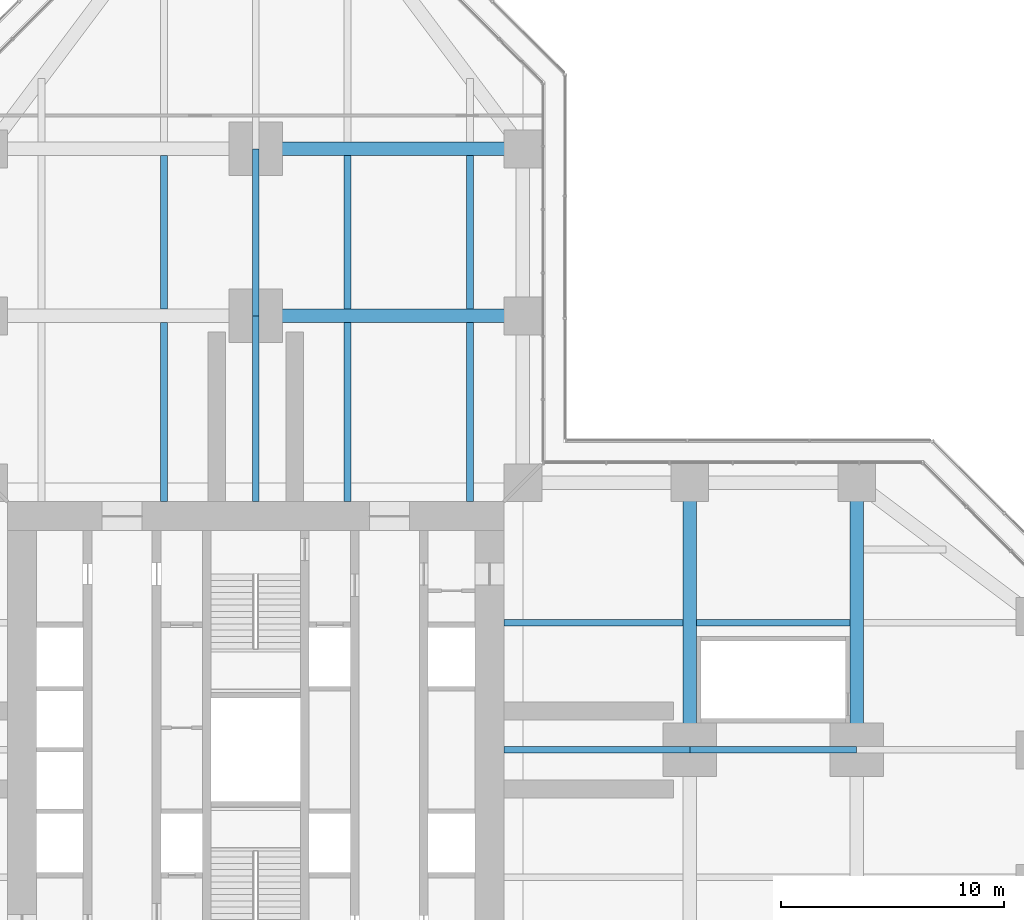
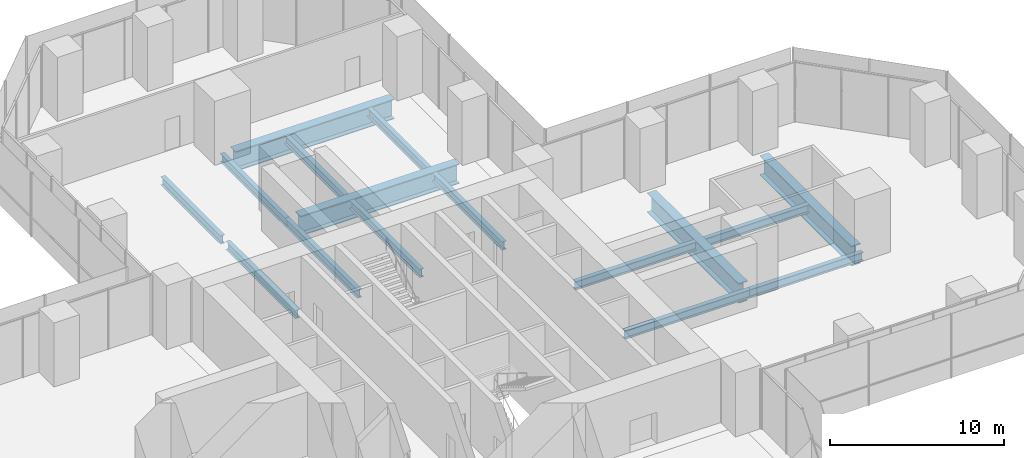
# One storey, part 9 of 21: 16 beams.
"""IFC4 building model written with IfcOpenShell, lengths in metres."""

import ifcopenshell
import ifcopenshell.guid

model = None  # the IFC model being written
_history = None  # IfcOwnerHistory: only IFC2X3 demands one
_inside = {}  # id of a spatial element -> (the spatial element, [elements in it])
_under = {}  # id of a project, library or spatial element -> (it, [spatial elements below it])
_declared = {}  # id of a project -> (the project, [libraries it declares])
_typed = {}  # id of a type object -> (the type object, [elements of that type])
_made_of = {}  # id of a material, layer set ... -> (it, [elements and type objects made of it])


def new_model(schema):
    """Start an empty IFC model of exactly this schema.

    Asked for "IFC4X3", IfcOpenShell would pick the latest addendum, in which some entities
    have other attributes; the version numbers below select the first issue.
    IFC2X3 requires an IfcOwnerHistory on every rooted entity: one is made here for all.
    """
    global model, _history
    if schema == "IFC4X3":
        model = ifcopenshell.file(schema_version=(4, 3, 0, 0))
    else:
        model = ifcopenshell.file(schema=schema)
    _inside.clear()
    _under.clear()
    _declared.clear()
    _typed.clear()
    _made_of.clear()
    _history = None
    if model.schema == "IFC2X3":
        org = make("IfcOrganization", Name="unknown")
        user = make(
            "IfcPersonAndOrganization",
            ThePerson=make("IfcPerson", FamilyName="unknown"),
            TheOrganization=org,
        )
        app = make(
            "IfcApplication",
            ApplicationDeveloper=org,
            Version="unknown",
            ApplicationFullName="unknown",
            ApplicationIdentifier="unknown",
        )
        _history = make(
            "IfcOwnerHistory",
            OwningUser=user,
            OwningApplication=app,
            ChangeAction="ADDED",
            CreationDate=0,
        )
    return model


def make(cls, **values):
    """One entity of the class cls with the attributes given. An attribute that is None is left unset."""
    return model.create_entity(
        cls, **{name: value for name, value in values.items() if value is not None}
    )


def rooted(cls, **values):
    """An entity with a GlobalId (a new one), such as an element, a storey or a relation."""
    return make(cls, GlobalId=ifcopenshell.guid.new(), OwnerHistory=_history, **values)


def si_unit(unit_type, name, prefix=None):
    """IfcSIUnit, for example si_unit("LENGTHUNIT", "METRE", prefix="MILLI")."""
    return make("IfcSIUnit", UnitType=unit_type, Prefix=prefix, Name=name)


def assignment(units):
    """IfcUnitAssignment: the units of a project."""
    return None if units is None else make("IfcUnitAssignment", Units=units)


def point(xyz):
    """IfcCartesianPoint."""
    return None if xyz is None else make("IfcCartesianPoint", Coordinates=xyz)


def direction(xyz):
    """IfcDirection."""
    return None if xyz is None else make("IfcDirection", DirectionRatios=xyz)


def frame(location, z_axis=None, x_axis=None):
    """IfcAxis2Placement3D, a coordinate frame: its origin and axes. An axis left out is left unset."""
    return make(
        "IfcAxis2Placement3D",
        Location=point(location),
        Axis=direction(z_axis),
        RefDirection=direction(x_axis),
    )


def frame_2d(location, x_axis=None):
    """IfcAxis2Placement2D, a coordinate frame in the plane: its origin and x axis."""
    return make(
        "IfcAxis2Placement2D", Location=point(location), RefDirection=direction(x_axis)
    )


def origin():
    """The frame at (0, 0, 0) with its axes left unset."""
    return frame((0.0, 0.0, 0.0))


def origin_2d():
    """The frame at (0, 0) in the plane with its x axis left unset."""
    return frame_2d((0.0, 0.0))


def place(relative_to, where):
    """IfcLocalPlacement: puts the frame where relative to a parent placement (None: the world)."""
    return make(
        "IfcLocalPlacement", PlacementRelTo=relative_to, RelativePlacement=where
    )


def context(
    kind, dimensions, precision=None, world=None, true_north=None, identifier=None
):
    """IfcGeometricRepresentationContext, for example the 3D "Model" context."""
    return make(
        "IfcGeometricRepresentationContext",
        ContextIdentifier=identifier,
        ContextType=kind,
        CoordinateSpaceDimension=dimensions,
        Precision=precision,
        WorldCoordinateSystem=world,
        TrueNorth=true_north,
    )


def subcontext(parent, identifier, kind, view, scale=None):
    """IfcGeometricRepresentationSubContext, for example "Body" below "Model"."""
    return make(
        "IfcGeometricRepresentationSubContext",
        ContextIdentifier=identifier,
        ContextType=kind,
        ParentContext=parent,
        TargetScale=scale,
        TargetView=view,
    )


def project(units=None, contexts=None):
    """IfcProject with its units and contexts."""
    return rooted(
        "IfcProject",
        Name="project",
        RepresentationContexts=contexts,
        UnitsInContext=assignment(units),
    )


def spatial(cls, under=None, at=None, **own):
    """A site, building, storey or space (cls), placed at a placement, below another one or the project."""
    s = rooted(cls, ObjectPlacement=at, **own)
    if under is not None:
        _under.setdefault(under.id(), (under, []))[1].append(s)
    return s


def profile(cls, at=None, kind="AREA", **sizes):
    """A parametric profile (cls). Its sizes go by their IFC names, for example OverallWidth=200.0."""
    return make(cls, ProfileType=kind, Position=at, **sizes)


def i_section(**sizes):
    """IfcIShapeProfileDef."""
    return profile("IfcIShapeProfileDef", **sizes)


def extrude(swept, where, along, depth):
    """IfcExtrudedAreaSolid: the profile swept, set in the frame where, extruded along a direction by depth."""
    return make(
        "IfcExtrudedAreaSolid",
        SweptArea=swept,
        Position=where,
        ExtrudedDirection=direction(along),
        Depth=depth,
    )


def shape(context_of_items, identifier, shape_type, items):
    """IfcShapeRepresentation: the items that make up one representation, for example the "Body"."""
    return make(
        "IfcShapeRepresentation",
        ContextOfItems=context_of_items,
        RepresentationIdentifier=identifier,
        RepresentationType=shape_type,
        Items=items,
    )


def material(Name=None, Category=None):
    """IfcMaterial."""
    return make("IfcMaterial", Name=Name, Category=Category)


def material_profile(
    of_material, cross_section, Name=None, Category=None, Priority=None
):
    """IfcMaterialProfile: a cross section and its material."""
    return make(
        "IfcMaterialProfile",
        Name=Name,
        Material=of_material,
        Profile=cross_section,
        Priority=Priority,
        Category=Category,
    )


def profile_set(profiles, Name=None, composite=None):
    """IfcMaterialProfileSet."""
    return make(
        "IfcMaterialProfileSet",
        Name=Name,
        MaterialProfiles=profiles,
        CompositeProfile=composite,
    )


def made_of(thing, what):
    """Note that an element or type object is made of a material, layer set ...; save() writes the relation."""
    if what is not None:
        _made_of.setdefault(what.id(), (what, []))[1].append(thing)
    return thing


def type_object(cls, material=None, **own):
    """A type object (cls), such as IfcWallType, which elements share."""
    return made_of(rooted(cls, **own), material)


def element(
    cls,
    number,
    at=None,
    inside=None,
    cuts=None,
    type_object=None,
    material=None,
    context=None,
    identifier="Body",
    shape_type=None,
    held_by="IfcProductDefinitionShape",
    body=None,
    shapes=None,
    **own,
):
    """One element of the class cls, such as IfcWall. Its Tag is "e" and its number.

    at: its placement. inside: the storey or other place that contains it. cuts: it is an
    opening in that element (IfcRelVoidsElement). A single representation is given by context,
    identifier, shape_type and body (its items); several are given by shapes. held_by: the class
    of the entity that holds the representations. save() writes the other relations.
    """
    e = rooted(cls, Tag="e%d" % number, ObjectPlacement=at, **own)
    if body is not None:
        shapes = [shape(context, identifier, shape_type, body)]
    if shapes is not None:
        e.Representation = make(held_by, Representations=shapes)
    if inside is not None:
        _inside.setdefault(inside.id(), (inside, []))[1].append(e)
    if cuts is not None:
        rooted(
            "IfcRelVoidsElement", RelatingBuildingElement=cuts, RelatedOpeningElement=e
        )
    if type_object is not None:
        _typed.setdefault(type_object.id(), (type_object, []))[1].append(e)
    return made_of(e, material)


def aggregate(whole, parts):
    """IfcRelAggregates: a whole, such as a stair, and the parts it consists of."""
    return rooted("IfcRelAggregates", RelatingObject=whole, RelatedObjects=parts)


def save(model, path):
    """Write the relations noted so far, then the file.

    IfcRelAggregates (storeys below a building ...), IfcRelContainedInSpatialStructure (elements
    in a storey), IfcRelDefinesByType, IfcRelAssociatesMaterial and IfcRelDeclares: one each for
    every whole, place, type object, material and project.
    """
    for whole, parts in _under.values():
        aggregate(whole, parts)
    for where, things in _inside.values():
        rooted(
            "IfcRelContainedInSpatialStructure",
            RelatedElements=things,
            RelatingStructure=where,
        )
    for kind, things in _typed.values():
        rooted("IfcRelDefinesByType", RelatedObjects=things, RelatingType=kind)
    for what, things in _made_of.values():
        rooted("IfcRelAssociatesMaterial", RelatedObjects=things, RelatingMaterial=what)
    for by, libraries in _declared.values():
        rooted("IfcRelDeclares", RelatingContext=by, RelatedDefinitions=libraries)
    model.write(path)


model = new_model("IFC4")

# Units and contexts
model_context = context("Model", 3, precision=1e-05, world=origin(), true_north=direction((0.0, 1.0)))
body_context = subcontext(model_context, "Body", "Model", "MODEL_VIEW")
ifc_project = project(units=[si_unit("LENGTHUNIT", "METRE"), si_unit("AREAUNIT", "SQUARE_METRE"), si_unit("VOLUMEUNIT", "CUBIC_METRE"), si_unit("PLANEANGLEUNIT", "RADIAN"), si_unit("MASSUNIT", "GRAM", prefix="KILO")], contexts=[model_context])

# Site, building, storey
site_placement = place(None, origin())
site = spatial("IfcSite", under=ifc_project, at=site_placement, CompositionType="ELEMENT")
building_placement = place(site_placement, origin())
building = spatial("IfcBuilding", under=site, at=building_placement, Name="Mizan Broadcast Tower", CompositionType="ELEMENT")
storey_placement = place(building_placement, frame((0.0, 0.0, 33.0)))
storey = spatial("IfcBuildingStorey", under=building, at=storey_placement, Name="L05", CompositionType="ELEMENT", Elevation=33.0)

# Beams
ifc_material_1 = material(Name="Steel S460", Category="steel")
ifc_material_profile_1 = material_profile(ifc_material_1, i_section(OverallWidth=0.60009765625, OverallDepth=1.39990234375, WebThickness=0.02490234375, FlangeThickness=0.06005859375, at=origin_2d()), Name="WPG 1400x600")
ifc_profile_set_1 = profile_set([ifc_material_profile_1], Name="Steel S460")
beam_type_1 = type_object("IfcBeamType", Name="GIRDER WPG 1400x600", PredefinedType="BEAM", material=ifc_profile_set_1)
for number, where, z_axis, x_axis, name in (
    (1, (19.5, 0.719970703125, -0.949951171875), (0.0, 1.0, 0.0), (-1.0, 0.0, 0.0), "Girder WPG 1400x600 L05 east arm"),
    (2, (27.0, 0.719970703125, -0.949951171875), (0.0, 1.0, 0.0), (-1.0, 0.0, 0.0), "Girder WPG 1400x600 L05 east arm"),
    (3, (11.280029296875, 19.5, -0.949951171875), (-1.0, 0.0, 0.0), (0.0, -1.0, 0.0), "Girder WPG 1400x600 L05 north arm"),
    (4, (11.280029296875, 27.0, -0.949951171875), (-1.0, 0.0, 0.0), (0.0, -1.0, 0.0), "Girder WPG 1400x600 L05 north arm"),
):
    element("IfcBeam", number, at=place(storey_placement, frame(where, z_axis=z_axis, x_axis=x_axis)), inside=storey, type_object=beam_type_1, Name=name, PredefinedType="BEAM", context=body_context, shape_type="SweptSolid", body=[
        extrude(i_section(OverallWidth=0.60009765625, OverallDepth=1.39990234375, WebThickness=0.02490234375, FlangeThickness=0.06005859375, at=origin_2d()), origin(), (0.0, 0.0, 1.0), 10.56005859375),
    ])
ifc_material_2 = material(Name="Steel S355", Category="steel")
ifc_material_profile_2 = material_profile(ifc_material_2, i_section(OverallWidth=0.300048828125, OverallDepth=0.590087890625, WebThickness=0.012939453125, FlangeThickness=0.02490234375, FilletRadius=0.027099609375, at=origin_2d()), Name="HEA 600")
ifc_profile_set_2 = profile_set([ifc_material_profile_2], Name="Steel S355")
beam_type_2 = type_object("IfcBeamType", Name="SECONDARY BEAM HEA 600", PredefinedType="JOIST", material=ifc_profile_set_2)
beam_1_placement = place(storey_placement, frame((11.14990234375, 0.0, -0.544921875), z_axis=(1.0, 0.0, 0.0), x_axis=(0.0, 1.0, 0.0)))
element("IfcBeam", 5, at=beam_1_placement, inside=storey, type_object=beam_type_2, Name="Secondary beam HEA 600 L05 east arm", PredefinedType="JOIST", context=body_context, shape_type="SweptSolid", body=[
    extrude(i_section(OverallWidth=0.300048828125, OverallDepth=0.590087890625, WebThickness=0.012939453125, FlangeThickness=0.02490234375, FilletRadius=0.027099609375, at=origin_2d()), origin(), (0.0, 0.0, 1.0), 8.35009765625),
])
beam_2_placement = place(storey_placement, frame((19.5, 0.0, -0.544921875), z_axis=(1.0, 0.0, 0.0), x_axis=(0.0, 1.0, 0.0)))
element("IfcBeam", 6, at=beam_2_placement, inside=storey, type_object=beam_type_2, Name="Secondary beam HEA 600 L05 east arm", PredefinedType="JOIST", context=body_context, shape_type="SweptSolid", body=[
    extrude(i_section(OverallWidth=0.300048828125, OverallDepth=0.590087890625, WebThickness=0.012939453125, FlangeThickness=0.02490234375, FilletRadius=0.027099609375, at=origin_2d()), origin(), (0.0, 0.0, 1.0), 7.5),
])
beam_3_placement = place(storey_placement, frame((11.14990234375, 5.71435546875, -0.544921875), z_axis=(1.0, 0.0, 0.0), x_axis=(0.0, 1.0, 0.0)))
element("IfcBeam", 7, at=beam_3_placement, inside=storey, type_object=beam_type_2, Name="Secondary beam HEA 600 L05 east arm", PredefinedType="JOIST", context=body_context, shape_type="SweptSolid", body=[
    extrude(i_section(OverallWidth=0.300048828125, OverallDepth=0.590087890625, WebThickness=0.012939453125, FlangeThickness=0.02490234375, FilletRadius=0.027099609375, at=origin_2d()), origin(), (0.0, 0.0, 1.0), 8.050048828125),
])
beam_4_placement = place(storey_placement, frame((19.800048828125, 5.71435546875, -0.544921875), z_axis=(1.0, 0.0, 0.0), x_axis=(0.0, 1.0, 0.0)))
element("IfcBeam", 8, at=beam_4_placement, inside=storey, type_object=beam_type_2, Name="Secondary beam HEA 600 L05 east arm", PredefinedType="JOIST", context=body_context, shape_type="SweptSolid", body=[
    extrude(i_section(OverallWidth=0.300048828125, OverallDepth=0.590087890625, WebThickness=0.012939453125, FlangeThickness=0.02490234375, FilletRadius=0.027099609375, at=origin_2d()), origin(), (0.0, 0.0, 1.0), 6.89990234375),
])
beam_5_placement = place(storey_placement, frame((9.625, 11.14990234375, -0.544921875), z_axis=(0.0, 1.0, 0.0), x_axis=(-1.0, 0.0, 0.0)))
element("IfcBeam", 9, at=beam_5_placement, inside=storey, type_object=beam_type_2, Name="Secondary beam HEA 600 L05 north arm", PredefinedType="JOIST", context=body_context, shape_type="SweptSolid", body=[
    extrude(i_section(OverallWidth=0.300048828125, OverallDepth=0.590087890625, WebThickness=0.012939453125, FlangeThickness=0.02490234375, FilletRadius=0.027099609375, at=origin_2d()), origin(), (0.0, 0.0, 1.0), 8.050048828125),
])
beam_6_placement = place(storey_placement, frame((9.625, 19.800048828125, -0.544921875), z_axis=(0.0, 1.0, 0.0), x_axis=(-1.0, 0.0, 0.0)))
element("IfcBeam", 10, at=beam_6_placement, inside=storey, type_object=beam_type_2, Name="Secondary beam HEA 600 L05 north arm", PredefinedType="JOIST", context=body_context, shape_type="SweptSolid", body=[
    extrude(i_section(OverallWidth=0.300048828125, OverallDepth=0.590087890625, WebThickness=0.012939453125, FlangeThickness=0.02490234375, FilletRadius=0.027099609375, at=origin_2d()), origin(), (0.0, 0.0, 1.0), 6.89990234375),
])
beam_7_placement = place(storey_placement, frame((4.125, 11.14990234375, -0.544921875), z_axis=(0.0, 1.0, 0.0), x_axis=(-1.0, 0.0, 0.0)))
element("IfcBeam", 11, at=beam_7_placement, inside=storey, type_object=beam_type_2, Name="Secondary beam HEA 600 L05 north arm", PredefinedType="JOIST", context=body_context, shape_type="SweptSolid", body=[
    extrude(i_section(OverallWidth=0.300048828125, OverallDepth=0.590087890625, WebThickness=0.012939453125, FlangeThickness=0.02490234375, FilletRadius=0.027099609375, at=origin_2d()), origin(), (0.0, 0.0, 1.0), 8.050048828125),
])
beam_8_placement = place(storey_placement, frame((4.125, 19.800048828125, -0.544921875), z_axis=(0.0, 1.0, 0.0), x_axis=(-1.0, 0.0, 0.0)))
element("IfcBeam", 12, at=beam_8_placement, inside=storey, type_object=beam_type_2, Name="Secondary beam HEA 600 L05 north arm", PredefinedType="JOIST", context=body_context, shape_type="SweptSolid", body=[
    extrude(i_section(OverallWidth=0.300048828125, OverallDepth=0.590087890625, WebThickness=0.012939453125, FlangeThickness=0.02490234375, FilletRadius=0.027099609375, at=origin_2d()), origin(), (0.0, 0.0, 1.0), 6.89990234375),
])
beam_9_placement = place(storey_placement, frame((0.0, 11.14990234375, -0.544921875), z_axis=(0.0, 1.0, 0.0), x_axis=(-1.0, 0.0, 0.0)))
element("IfcBeam", 13, at=beam_9_placement, inside=storey, type_object=beam_type_2, Name="Secondary beam HEA 600 L05 north arm", PredefinedType="JOIST", context=body_context, shape_type="SweptSolid", body=[
    extrude(i_section(OverallWidth=0.300048828125, OverallDepth=0.590087890625, WebThickness=0.012939453125, FlangeThickness=0.02490234375, FilletRadius=0.027099609375, at=origin_2d()), origin(), (0.0, 0.0, 1.0), 8.35009765625),
])
beam_10_placement = place(storey_placement, frame((0.0, 19.5, -0.544921875), z_axis=(0.0, 1.0, 0.0), x_axis=(-1.0, 0.0, 0.0)))
element("IfcBeam", 14, at=beam_10_placement, inside=storey, type_object=beam_type_2, Name="Secondary beam HEA 600 L05 north arm", PredefinedType="JOIST", context=body_context, shape_type="SweptSolid", body=[
    extrude(i_section(OverallWidth=0.300048828125, OverallDepth=0.590087890625, WebThickness=0.012939453125, FlangeThickness=0.02490234375, FilletRadius=0.027099609375, at=origin_2d()), origin(), (0.0, 0.0, 1.0), 7.5),
])
beam_11_placement = place(storey_placement, frame((-4.125, 11.14990234375, -0.544921875), z_axis=(0.0, 1.0, 0.0), x_axis=(-1.0, 0.0, 0.0)))
element("IfcBeam", 15, at=beam_11_placement, inside=storey, type_object=beam_type_2, Name="Secondary beam HEA 600 L05 north arm", PredefinedType="JOIST", context=body_context, shape_type="SweptSolid", body=[
    extrude(i_section(OverallWidth=0.300048828125, OverallDepth=0.590087890625, WebThickness=0.012939453125, FlangeThickness=0.02490234375, FilletRadius=0.027099609375, at=origin_2d()), origin(), (0.0, 0.0, 1.0), 8.050048828125),
])
beam_12_placement = place(storey_placement, frame((-4.125, 19.800048828125, -0.544921875), z_axis=(0.0, 1.0, 0.0), x_axis=(-1.0, 0.0, 0.0)))
element("IfcBeam", 16, at=beam_12_placement, inside=storey, type_object=beam_type_2, Name="Secondary beam HEA 600 L05 north arm", PredefinedType="JOIST", context=body_context, shape_type="SweptSolid", body=[
    extrude(i_section(OverallWidth=0.300048828125, OverallDepth=0.590087890625, WebThickness=0.012939453125, FlangeThickness=0.02490234375, FilletRadius=0.027099609375, at=origin_2d()), origin(), (0.0, 0.0, 1.0), 6.89990234375),
])

save(model, "model.ifc")
